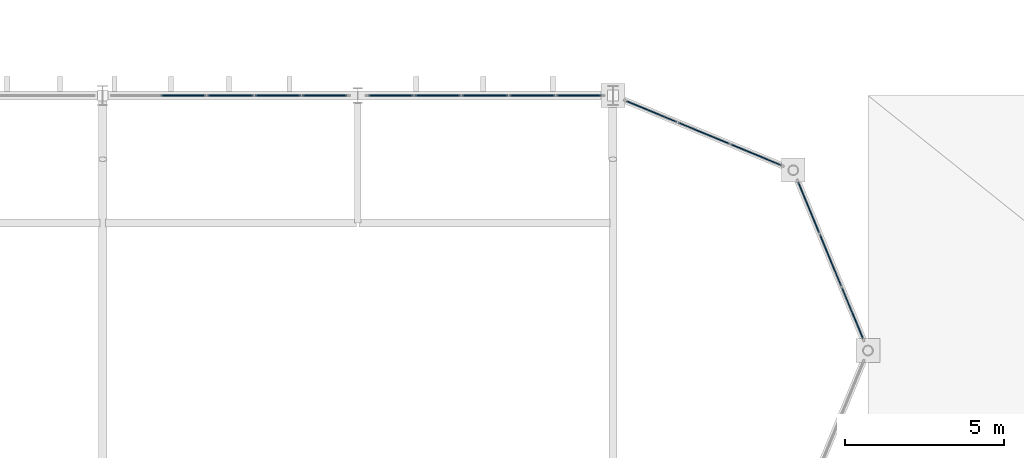
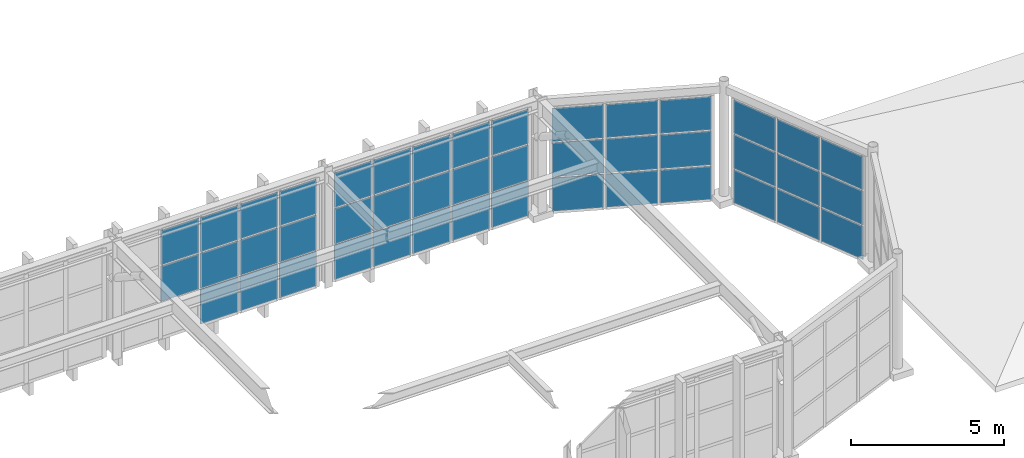
# One storey, part 44 of 61: 44 plates, 4 elements without a shape of their own.
"""IFC4 building model written with IfcOpenShell, lengths in metres."""

from ifc_helpers import new_model, si_unit, direction, frame, origin, origin_2d, place, context, subcontext, project, spatial, rectangle, extrude, material, layer, layer_set, type_object, element, aggregate, save


model = new_model("IFC4")

# Units and contexts
model_context = context("Model", 3, precision=1e-05, world=origin(), true_north=direction((0.0, 1.0)))
body_context = subcontext(model_context, "Body", "Model", "MODEL_VIEW")
ifc_project = project(units=[si_unit("LENGTHUNIT", "METRE"), si_unit("AREAUNIT", "SQUARE_METRE"), si_unit("VOLUMEUNIT", "CUBIC_METRE"), si_unit("PLANEANGLEUNIT", "RADIAN"), si_unit("MASSUNIT", "GRAM", prefix="KILO")], contexts=[model_context])

# Site, building, storey
site_placement = place(None, origin())
site = spatial("IfcSite", under=ifc_project, at=site_placement, CompositionType="ELEMENT")
building_placement = place(site_placement, origin())
building = spatial("IfcBuilding", under=site, at=building_placement, Name="Serraluz Foothill Cableway Terminal", CompositionType="ELEMENT")
storey_placement = place(building_placement, frame((0.0, 0.0, 15.0)))
storey = spatial("IfcBuildingStorey", under=building, at=storey_placement, Name="L03", CompositionType="ELEMENT", Elevation=15.0)

# Curtain wall, plates
ifc_material_1 = material(Name="Architectural bronze alloy C28000", Category="aluminium")
curtain_wall_type_1 = type_object("IfcCurtainWallType", Name="TYP-CW-480X380", PredefinedType="NOTDEFINED", material=ifc_material_1)
curtain_wall_1_placement = place(storey_placement, origin())
curtain_wall_1 = element("IfcCurtainWall", 1, at=curtain_wall_1_placement, inside=storey, type_object=curtain_wall_type_1, Name="Ribbed Glazed Curtain Wall CW-V1-E-L03-1", PredefinedType="NOTDEFINED")
ifc_material_2 = material(Name="Laminated low-E safety glass", Category="glass")
ifc_layer_1 = layer(ifc_material_2, 0.031982421875, Name="Laminated low-E safety glass", Category="glass")
ifc_layer_set_1 = layer_set([ifc_layer_1], Name="Laminated low-E safety glass")
plate_type_1 = type_object("IfcPlateType", Name="TYP-CW-PNL-32", PredefinedType="CURTAIN_PANEL", material=ifc_layer_set_1)
plate_1_placement = place(storey_placement, frame((153.215576171875, 71.49658203125, 0.05517578125), z_axis=(0.0, 0.0, 1.0), x_axis=(0.923880260537, -0.382681674752, 0.0)))
plate_1 = element("IfcPlate", 2, at=plate_1_placement, type_object=plate_type_1, Name="CW-14 panel 1.1", PredefinedType="CURTAIN_PANEL", context=body_context, shape_type="SweptSolid", body=[
    extrude(rectangle(XDim=1.705322265625, YDim=0.031982421875, at=origin_2d()), origin(), (0.0, 0.0, 1.0), 1.3173828125),
])
plate_2_placement = place(storey_placement, frame((153.215576171875, 71.49658203125, 1.427734375), z_axis=(0.0, 0.0, 1.0), x_axis=(0.923880260537, -0.382681674752, 0.0)))
plate_2 = element("IfcPlate", 3, at=plate_2_placement, type_object=plate_type_1, Name="CW-14 panel 1.2", PredefinedType="CURTAIN_PANEL", context=body_context, shape_type="SweptSolid", body=[
    extrude(rectangle(XDim=1.705322265625, YDim=0.031982421875, at=origin_2d()), origin(), (0.0, 0.0, 1.0), 1.344970703125),
])
plate_3_placement = place(storey_placement, frame((153.215576171875, 71.49658203125, 2.82763671875), z_axis=(0.0, 0.0, 1.0), x_axis=(0.923880260537, -0.382681674752, 0.0)))
plate_3 = element("IfcPlate", 4, at=plate_3_placement, type_object=plate_type_1, Name="CW-14 panel 1.3", PredefinedType="CURTAIN_PANEL", context=body_context, shape_type="SweptSolid", body=[
    extrude(rectangle(XDim=1.705322265625, YDim=0.031982421875, at=origin_2d()), origin(), (0.0, 0.0, 1.0), 1.3173828125),
])
plate_4_placement = place(storey_placement, frame((154.8544921875, 70.817626953125, 0.05517578125), z_axis=(0.0, 0.0, 1.0), x_axis=(0.923880260537, -0.382681674752, 0.0)))
plate_4 = element("IfcPlate", 5, at=plate_4_placement, type_object=plate_type_1, Name="CW-14 panel 2.1", PredefinedType="CURTAIN_PANEL", context=body_context, shape_type="SweptSolid", body=[
    extrude(rectangle(XDim=1.73291015625, YDim=0.031982421875, at=origin_2d()), origin(), (0.0, 0.0, 1.0), 1.3173828125),
])
plate_5_placement = place(storey_placement, frame((154.8544921875, 70.817626953125, 1.427734375), z_axis=(0.0, 0.0, 1.0), x_axis=(0.923880260537, -0.382681674752, 0.0)))
plate_5 = element("IfcPlate", 6, at=plate_5_placement, type_object=plate_type_1, Name="CW-14 panel 2.2", PredefinedType="CURTAIN_PANEL", context=body_context, shape_type="SweptSolid", body=[
    extrude(rectangle(XDim=1.73291015625, YDim=0.031982421875, at=origin_2d()), origin(), (0.0, 0.0, 1.0), 1.344970703125),
])
plate_6_placement = place(storey_placement, frame((154.8544921875, 70.817626953125, 2.82763671875), z_axis=(0.0, 0.0, 1.0), x_axis=(0.923880260537, -0.382681674752, 0.0)))
plate_6 = element("IfcPlate", 7, at=plate_6_placement, type_object=plate_type_1, Name="CW-14 panel 2.3", PredefinedType="CURTAIN_PANEL", context=body_context, shape_type="SweptSolid", body=[
    extrude(rectangle(XDim=1.73291015625, YDim=0.031982421875, at=origin_2d()), origin(), (0.0, 0.0, 1.0), 1.3173828125),
])
plate_7_placement = place(storey_placement, frame((156.493408203125, 70.138671875, 0.05517578125), z_axis=(0.0, 0.0, 1.0), x_axis=(0.923880260537, -0.382681674752, 0.0)))
plate_7 = element("IfcPlate", 8, at=plate_7_placement, type_object=plate_type_1, Name="CW-14 panel 3.1", PredefinedType="CURTAIN_PANEL", context=body_context, shape_type="SweptSolid", body=[
    extrude(rectangle(XDim=1.705322265625, YDim=0.031982421875, at=origin_2d()), origin(), (0.0, 0.0, 1.0), 1.3173828125),
])
plate_8_placement = place(storey_placement, frame((156.493408203125, 70.138671875, 1.427734375), z_axis=(0.0, 0.0, 1.0), x_axis=(0.923880260537, -0.382681674752, 0.0)))
plate_8 = element("IfcPlate", 9, at=plate_8_placement, type_object=plate_type_1, Name="CW-14 panel 3.2", PredefinedType="CURTAIN_PANEL", context=body_context, shape_type="SweptSolid", body=[
    extrude(rectangle(XDim=1.705322265625, YDim=0.031982421875, at=origin_2d()), origin(), (0.0, 0.0, 1.0), 1.344970703125),
])
plate_9_placement = place(storey_placement, frame((156.493408203125, 70.138671875, 2.82763671875), z_axis=(0.0, 0.0, 1.0), x_axis=(0.923880260537, -0.382681674752, 0.0)))
plate_9 = element("IfcPlate", 10, at=plate_9_placement, type_object=plate_type_1, Name="CW-14 panel 3.3", PredefinedType="CURTAIN_PANEL", context=body_context, shape_type="SweptSolid", body=[
    extrude(rectangle(XDim=1.705322265625, YDim=0.031982421875, at=origin_2d()), origin(), (0.0, 0.0, 1.0), 1.3173828125),
])
aggregate(curtain_wall_1, [plate_1, plate_2, plate_3, plate_4, plate_5, plate_6, plate_7, plate_8, plate_9])

curtain_wall_type_2 = type_object("IfcCurtainWallType", Name="TYP-CW-480X420", PredefinedType="NOTDEFINED", material=ifc_material_1)
curtain_wall_2_placement = place(storey_placement, origin())
curtain_wall_2 = element("IfcCurtainWall", 11, at=curtain_wall_2_placement, inside=storey, type_object=curtain_wall_type_2, Name="Ribbed Glazed Curtain Wall CW-V1-E-L03-2", PredefinedType="NOTDEFINED")
plate_10_placement = place(storey_placement, frame((158.142333984375, 68.48486328125, 0.05517578125), z_axis=(0.0, 0.0, 1.0), x_axis=(0.382684759834, -0.923878982655, 0.0)))
plate_10 = element("IfcPlate", 12, at=plate_10_placement, type_object=plate_type_1, Name="CW-15 panel 1.1", PredefinedType="CURTAIN_PANEL", context=body_context, shape_type="SweptSolid", body=[
    extrude(rectangle(XDim=1.72412109375, YDim=0.031982421875, at=origin_2d()), origin(), (0.0, 0.0, 1.0), 1.3173828125),
])
plate_11_placement = place(storey_placement, frame((158.142333984375, 68.48486328125, 1.427734375), z_axis=(0.0, 0.0, 1.0), x_axis=(0.382684759834, -0.923878982655, 0.0)))
plate_11 = element("IfcPlate", 13, at=plate_11_placement, type_object=plate_type_1, Name="CW-15 panel 1.2", PredefinedType="CURTAIN_PANEL", context=body_context, shape_type="SweptSolid", body=[
    extrude(rectangle(XDim=1.72412109375, YDim=0.031982421875, at=origin_2d()), origin(), (0.0, 0.0, 1.0), 1.344970703125),
])
plate_12_placement = place(storey_placement, frame((158.142333984375, 68.48486328125, 2.82763671875), z_axis=(0.0, 0.0, 1.0), x_axis=(0.382684759834, -0.923878982655, 0.0)))
plate_12 = element("IfcPlate", 14, at=plate_12_placement, type_object=plate_type_1, Name="CW-15 panel 1.3", PredefinedType="CURTAIN_PANEL", context=body_context, shape_type="SweptSolid", body=[
    extrude(rectangle(XDim=1.72412109375, YDim=0.031982421875, at=origin_2d()), origin(), (0.0, 0.0, 1.0), 1.3173828125),
])
plate_13_placement = place(storey_placement, frame((158.828369140625, 66.828369140625, 0.05517578125), z_axis=(0.0, 0.0, 1.0), x_axis=(0.382684759834, -0.923878982655, 0.0)))
plate_13 = element("IfcPlate", 15, at=plate_13_placement, type_object=plate_type_1, Name="CW-15 panel 2.1", PredefinedType="CURTAIN_PANEL", context=body_context, shape_type="SweptSolid", body=[
    extrude(rectangle(XDim=1.751708984375, YDim=0.031982421875, at=origin_2d()), origin(), (0.0, 0.0, 1.0), 1.3173828125),
])
plate_14_placement = place(storey_placement, frame((158.828369140625, 66.828369140625, 1.427734375), z_axis=(0.0, 0.0, 1.0), x_axis=(0.382684759834, -0.923878982655, 0.0)))
plate_14 = element("IfcPlate", 16, at=plate_14_placement, type_object=plate_type_1, Name="CW-15 panel 2.2", PredefinedType="CURTAIN_PANEL", context=body_context, shape_type="SweptSolid", body=[
    extrude(rectangle(XDim=1.751708984375, YDim=0.031982421875, at=origin_2d()), origin(), (0.0, 0.0, 1.0), 1.344970703125),
])
plate_15_placement = place(storey_placement, frame((158.828369140625, 66.828369140625, 2.82763671875), z_axis=(0.0, 0.0, 1.0), x_axis=(0.382684759834, -0.923878982655, 0.0)))
plate_15 = element("IfcPlate", 17, at=plate_15_placement, type_object=plate_type_1, Name="CW-15 panel 2.3", PredefinedType="CURTAIN_PANEL", context=body_context, shape_type="SweptSolid", body=[
    extrude(rectangle(XDim=1.751708984375, YDim=0.031982421875, at=origin_2d()), origin(), (0.0, 0.0, 1.0), 1.3173828125),
])
plate_16_placement = place(storey_placement, frame((159.5146484375, 65.172119140625, 0.05517578125), z_axis=(0.0, 0.0, 1.0), x_axis=(0.382684759834, -0.923878982655, 0.0)))
plate_16 = element("IfcPlate", 18, at=plate_16_placement, type_object=plate_type_1, Name="CW-15 panel 3.1", PredefinedType="CURTAIN_PANEL", context=body_context, shape_type="SweptSolid", body=[
    extrude(rectangle(XDim=1.72412109375, YDim=0.031982421875, at=origin_2d()), origin(), (0.0, 0.0, 1.0), 1.3173828125),
])
plate_17_placement = place(storey_placement, frame((159.5146484375, 65.172119140625, 1.427734375), z_axis=(0.0, 0.0, 1.0), x_axis=(0.382684759834, -0.923878982655, 0.0)))
plate_17 = element("IfcPlate", 19, at=plate_17_placement, type_object=plate_type_1, Name="CW-15 panel 3.2", PredefinedType="CURTAIN_PANEL", context=body_context, shape_type="SweptSolid", body=[
    extrude(rectangle(XDim=1.72412109375, YDim=0.031982421875, at=origin_2d()), origin(), (0.0, 0.0, 1.0), 1.344970703125),
])
plate_18_placement = place(storey_placement, frame((159.5146484375, 65.172119140625, 2.82763671875), z_axis=(0.0, 0.0, 1.0), x_axis=(0.382684759834, -0.923878982655, 0.0)))
plate_18 = element("IfcPlate", 20, at=plate_18_placement, type_object=plate_type_1, Name="CW-15 panel 3.3", PredefinedType="CURTAIN_PANEL", context=body_context, shape_type="SweptSolid", body=[
    extrude(rectangle(XDim=1.72412109375, YDim=0.031982421875, at=origin_2d()), origin(), (0.0, 0.0, 1.0), 1.3173828125),
])
aggregate(curtain_wall_2, [plate_10, plate_11, plate_12, plate_13, plate_14, plate_15, plate_16, plate_17, plate_18])

curtain_wall_type_3 = type_object("IfcCurtainWallType", Name="TYP-CW-1480X390", PredefinedType="NOTDEFINED", material=ifc_material_1)
curtain_wall_3_placement = place(storey_placement, origin())
curtain_wall_3 = element("IfcCurtainWall", 21, at=curtain_wall_3_placement, inside=storey, type_object=curtain_wall_type_3, Name="Ribbed Glazed Curtain Wall CW-V1N-L03-136", PredefinedType="NOTDEFINED")
ifc_material_3 = material(Name="Translucent ribbed laminated channel glass", Category="glass")
ifc_layer_2 = layer(ifc_material_3, 0.0419921875, Name="Translucent ribbed laminated channel glass", Category="glass")
ifc_layer_set_2 = layer_set([ifc_layer_2], Name="Translucent ribbed laminated channel glass")
plate_type_2 = type_object("IfcPlateType", Name="TYP-CW-PNL-42", PredefinedType="CURTAIN_PANEL", material=ifc_layer_set_2)
plate_19_placement = place(storey_placement, frame((138.52734375, 72.0, 1.47998046875), z_axis=(0.0, 0.0, 1.0), x_axis=(1.0, 0.0, 0.0)))
plate_19 = element("IfcPlate", 22, at=plate_19_placement, type_object=plate_type_2, Name="CW-24 panel 2.2", PredefinedType="CURTAIN_PANEL", context=body_context, shape_type="SweptSolid", body=[
    extrude(rectangle(XDim=1.423095703125, YDim=0.0419921875, at=origin_2d()), origin(), (0.0, 0.0, 1.0), 1.389892578125),
])
plate_20_placement = place(storey_placement, frame((138.52734375, 72.0, 2.93017578125), z_axis=(0.0, 0.0, 1.0), x_axis=(1.0, 0.0, 0.0)))
plate_20 = element("IfcPlate", 23, at=plate_20_placement, type_object=plate_type_2, Name="CW-24 panel 2.3", PredefinedType="CURTAIN_PANEL", context=body_context, shape_type="SweptSolid", body=[
    extrude(rectangle(XDim=1.423095703125, YDim=0.0419921875, at=origin_2d()), origin(), (0.0, 0.0, 1.0), 1.360107421875),
])
plate_21_placement = place(storey_placement, frame((140.010498046875, 72.0, 0.06005859375), z_axis=(0.0, 0.0, 1.0), x_axis=(1.0, 0.0, 0.0)))
plate_21 = element("IfcPlate", 24, at=plate_21_placement, type_object=plate_type_2, Name="CW-24 panel 3.1", PredefinedType="CURTAIN_PANEL", context=body_context, shape_type="SweptSolid", body=[
    extrude(rectangle(XDim=1.423095703125, YDim=0.0419921875, at=origin_2d()), origin(), (0.0, 0.0, 1.0), 1.360107421875),
])
plate_22_placement = place(storey_placement, frame((140.010498046875, 72.0, 1.47998046875), z_axis=(0.0, 0.0, 1.0), x_axis=(1.0, 0.0, 0.0)))
plate_22 = element("IfcPlate", 25, at=plate_22_placement, type_object=plate_type_2, Name="CW-24 panel 3.2", PredefinedType="CURTAIN_PANEL", context=body_context, shape_type="SweptSolid", body=[
    extrude(rectangle(XDim=1.423095703125, YDim=0.0419921875, at=origin_2d()), origin(), (0.0, 0.0, 1.0), 1.389892578125),
])
plate_23_placement = place(storey_placement, frame((140.010498046875, 72.0, 2.93017578125), z_axis=(0.0, 0.0, 1.0), x_axis=(1.0, 0.0, 0.0)))
plate_23 = element("IfcPlate", 26, at=plate_23_placement, type_object=plate_type_2, Name="CW-24 panel 3.3", PredefinedType="CURTAIN_PANEL", context=body_context, shape_type="SweptSolid", body=[
    extrude(rectangle(XDim=1.423095703125, YDim=0.0419921875, at=origin_2d()), origin(), (0.0, 0.0, 1.0), 1.360107421875),
])
plate_24_placement = place(storey_placement, frame((141.49365234375, 72.0, 0.06005859375), z_axis=(0.0, 0.0, 1.0), x_axis=(1.0, 0.0, 0.0)))
plate_24 = element("IfcPlate", 27, at=plate_24_placement, type_object=plate_type_2, Name="CW-24 panel 4.1", PredefinedType="CURTAIN_PANEL", context=body_context, shape_type="SweptSolid", body=[
    extrude(rectangle(XDim=1.423095703125, YDim=0.0419921875, at=origin_2d()), origin(), (0.0, 0.0, 1.0), 1.360107421875),
])
plate_25_placement = place(storey_placement, frame((141.49365234375, 72.0, 1.47998046875), z_axis=(0.0, 0.0, 1.0), x_axis=(1.0, 0.0, 0.0)))
plate_25 = element("IfcPlate", 28, at=plate_25_placement, type_object=plate_type_2, Name="CW-24 panel 4.2", PredefinedType="CURTAIN_PANEL", context=body_context, shape_type="SweptSolid", body=[
    extrude(rectangle(XDim=1.423095703125, YDim=0.0419921875, at=origin_2d()), origin(), (0.0, 0.0, 1.0), 1.389892578125),
])
plate_26_placement = place(storey_placement, frame((141.49365234375, 72.0, 2.93017578125), z_axis=(0.0, 0.0, 1.0), x_axis=(1.0, 0.0, 0.0)))
plate_26 = element("IfcPlate", 29, at=plate_26_placement, type_object=plate_type_2, Name="CW-24 panel 4.3", PredefinedType="CURTAIN_PANEL", context=body_context, shape_type="SweptSolid", body=[
    extrude(rectangle(XDim=1.423095703125, YDim=0.0419921875, at=origin_2d()), origin(), (0.0, 0.0, 1.0), 1.360107421875),
])
plate_27_placement = place(storey_placement, frame((142.9619140625, 72.0, 0.06005859375), z_axis=(0.0, 0.0, 1.0), x_axis=(1.0, 0.0, 0.0)))
plate_27 = element("IfcPlate", 30, at=plate_27_placement, type_object=plate_type_2, Name="CW-24 panel 5.1", PredefinedType="CURTAIN_PANEL", context=body_context, shape_type="SweptSolid", body=[
    extrude(rectangle(XDim=1.393310546875, YDim=0.0419921875, at=origin_2d()), origin(), (0.0, 0.0, 1.0), 1.360107421875),
])
plate_28_placement = place(storey_placement, frame((142.9619140625, 72.0, 1.47998046875), z_axis=(0.0, 0.0, 1.0), x_axis=(1.0, 0.0, 0.0)))
plate_28 = element("IfcPlate", 31, at=plate_28_placement, type_object=plate_type_2, Name="CW-24 panel 5.2", PredefinedType="CURTAIN_PANEL", context=body_context, shape_type="SweptSolid", body=[
    extrude(rectangle(XDim=1.393310546875, YDim=0.0419921875, at=origin_2d()), origin(), (0.0, 0.0, 1.0), 1.389892578125),
])
plate_29_placement = place(storey_placement, frame((142.9619140625, 72.0, 2.93017578125), z_axis=(0.0, 0.0, 1.0), x_axis=(1.0, 0.0, 0.0)))
plate_29 = element("IfcPlate", 32, at=plate_29_placement, type_object=plate_type_2, Name="CW-24 panel 5.3", PredefinedType="CURTAIN_PANEL", context=body_context, shape_type="SweptSolid", body=[
    extrude(rectangle(XDim=1.393310546875, YDim=0.0419921875, at=origin_2d()), origin(), (0.0, 0.0, 1.0), 1.360107421875),
])
aggregate(curtain_wall_3, [plate_19, plate_20, plate_21, plate_22, plate_23, plate_24, plate_25, plate_26, plate_27, plate_28, plate_29])

curtain_wall_type_4 = type_object("IfcCurtainWallType", Name="TYP-CW-710X420", PredefinedType="NOTDEFINED", material=ifc_material_1)
curtain_wall_4_placement = place(storey_placement, origin())
curtain_wall_4 = element("IfcCurtainWall", 33, at=curtain_wall_4_placement, inside=storey, type_object=curtain_wall_type_4, Name="Ribbed Glazed Curtain Wall CW-V1N-L03-144", PredefinedType="NOTDEFINED")
plate_30_placement = place(storey_placement, frame((145.0380859375, 72.0, 0.06005859375), z_axis=(0.0, 0.0, 1.0), x_axis=(1.0, 0.0, 0.0)))
plate_30 = element("IfcPlate", 34, at=plate_30_placement, type_object=plate_type_2, Name="CW-01 panel 1.1", PredefinedType="CURTAIN_PANEL", context=body_context, shape_type="SweptSolid", body=[
    extrude(rectangle(XDim=1.393310546875, YDim=0.0419921875, at=origin_2d()), origin(), (0.0, 0.0, 1.0), 1.360107421875),
])
plate_31_placement = place(storey_placement, frame((145.0380859375, 72.0, 1.47998046875), z_axis=(0.0, 0.0, 1.0), x_axis=(1.0, 0.0, 0.0)))
plate_31 = element("IfcPlate", 35, at=plate_31_placement, type_object=plate_type_2, Name="CW-01 panel 1.2", PredefinedType="CURTAIN_PANEL", context=body_context, shape_type="SweptSolid", body=[
    extrude(rectangle(XDim=1.393310546875, YDim=0.0419921875, at=origin_2d()), origin(), (0.0, 0.0, 1.0), 1.389892578125),
])
plate_32_placement = place(storey_placement, frame((145.0380859375, 72.0, 2.93017578125), z_axis=(0.0, 0.0, 1.0), x_axis=(1.0, 0.0, 0.0)))
plate_32 = element("IfcPlate", 36, at=plate_32_placement, type_object=plate_type_2, Name="CW-01 panel 1.3", PredefinedType="CURTAIN_PANEL", context=body_context, shape_type="SweptSolid", body=[
    extrude(rectangle(XDim=1.393310546875, YDim=0.0419921875, at=origin_2d()), origin(), (0.0, 0.0, 1.0), 1.360107421875),
])
plate_33_placement = place(storey_placement, frame((146.50634765625, 72.0, 0.06005859375), z_axis=(0.0, 0.0, 1.0), x_axis=(1.0, 0.0, 0.0)))
plate_33 = element("IfcPlate", 37, at=plate_33_placement, type_object=plate_type_2, Name="CW-01 panel 2.1", PredefinedType="CURTAIN_PANEL", context=body_context, shape_type="SweptSolid", body=[
    extrude(rectangle(XDim=1.423095703125, YDim=0.0419921875, at=origin_2d()), origin(), (0.0, 0.0, 1.0), 1.360107421875),
])
plate_34_placement = place(storey_placement, frame((146.50634765625, 72.0, 1.47998046875), z_axis=(0.0, 0.0, 1.0), x_axis=(1.0, 0.0, 0.0)))
plate_34 = element("IfcPlate", 38, at=plate_34_placement, type_object=plate_type_2, Name="CW-01 panel 2.2", PredefinedType="CURTAIN_PANEL", context=body_context, shape_type="SweptSolid", body=[
    extrude(rectangle(XDim=1.423095703125, YDim=0.0419921875, at=origin_2d()), origin(), (0.0, 0.0, 1.0), 1.389892578125),
])
plate_35_placement = place(storey_placement, frame((146.50634765625, 72.0, 2.93017578125), z_axis=(0.0, 0.0, 1.0), x_axis=(1.0, 0.0, 0.0)))
plate_35 = element("IfcPlate", 39, at=plate_35_placement, type_object=plate_type_2, Name="CW-01 panel 2.3", PredefinedType="CURTAIN_PANEL", context=body_context, shape_type="SweptSolid", body=[
    extrude(rectangle(XDim=1.423095703125, YDim=0.0419921875, at=origin_2d()), origin(), (0.0, 0.0, 1.0), 1.360107421875),
])
plate_36_placement = place(storey_placement, frame((147.989501953125, 72.0, 0.06005859375), z_axis=(0.0, 0.0, 1.0), x_axis=(1.0, 0.0, 0.0)))
plate_36 = element("IfcPlate", 40, at=plate_36_placement, type_object=plate_type_2, Name="CW-01 panel 3.1", PredefinedType="CURTAIN_PANEL", context=body_context, shape_type="SweptSolid", body=[
    extrude(rectangle(XDim=1.423095703125, YDim=0.0419921875, at=origin_2d()), origin(), (0.0, 0.0, 1.0), 1.360107421875),
])
plate_37_placement = place(storey_placement, frame((147.989501953125, 72.0, 1.47998046875), z_axis=(0.0, 0.0, 1.0), x_axis=(1.0, 0.0, 0.0)))
plate_37 = element("IfcPlate", 41, at=plate_37_placement, type_object=plate_type_2, Name="CW-01 panel 3.2", PredefinedType="CURTAIN_PANEL", context=body_context, shape_type="SweptSolid", body=[
    extrude(rectangle(XDim=1.423095703125, YDim=0.0419921875, at=origin_2d()), origin(), (0.0, 0.0, 1.0), 1.389892578125),
])
plate_38_placement = place(storey_placement, frame((147.989501953125, 72.0, 2.93017578125), z_axis=(0.0, 0.0, 1.0), x_axis=(1.0, 0.0, 0.0)))
plate_38 = element("IfcPlate", 42, at=plate_38_placement, type_object=plate_type_2, Name="CW-01 panel 3.3", PredefinedType="CURTAIN_PANEL", context=body_context, shape_type="SweptSolid", body=[
    extrude(rectangle(XDim=1.423095703125, YDim=0.0419921875, at=origin_2d()), origin(), (0.0, 0.0, 1.0), 1.360107421875),
])
plate_39_placement = place(storey_placement, frame((149.47265625, 72.0, 0.06005859375), z_axis=(0.0, 0.0, 1.0), x_axis=(1.0, 0.0, 0.0)))
plate_39 = element("IfcPlate", 43, at=plate_39_placement, type_object=plate_type_2, Name="CW-01 panel 4.1", PredefinedType="CURTAIN_PANEL", context=body_context, shape_type="SweptSolid", body=[
    extrude(rectangle(XDim=1.423095703125, YDim=0.0419921875, at=origin_2d()), origin(), (0.0, 0.0, 1.0), 1.360107421875),
])
plate_40_placement = place(storey_placement, frame((149.47265625, 72.0, 1.47998046875), z_axis=(0.0, 0.0, 1.0), x_axis=(1.0, 0.0, 0.0)))
plate_40 = element("IfcPlate", 44, at=plate_40_placement, type_object=plate_type_2, Name="CW-01 panel 4.2", PredefinedType="CURTAIN_PANEL", context=body_context, shape_type="SweptSolid", body=[
    extrude(rectangle(XDim=1.423095703125, YDim=0.0419921875, at=origin_2d()), origin(), (0.0, 0.0, 1.0), 1.389892578125),
])
plate_41_placement = place(storey_placement, frame((149.47265625, 72.0, 2.93017578125), z_axis=(0.0, 0.0, 1.0), x_axis=(1.0, 0.0, 0.0)))
plate_41 = element("IfcPlate", 45, at=plate_41_placement, type_object=plate_type_2, Name="CW-01 panel 4.3", PredefinedType="CURTAIN_PANEL", context=body_context, shape_type="SweptSolid", body=[
    extrude(rectangle(XDim=1.423095703125, YDim=0.0419921875, at=origin_2d()), origin(), (0.0, 0.0, 1.0), 1.360107421875),
])
plate_42_placement = place(storey_placement, frame((150.94091796875, 72.0, 0.06005859375), z_axis=(0.0, 0.0, 1.0), x_axis=(1.0, 0.0, 0.0)))
plate_42 = element("IfcPlate", 46, at=plate_42_placement, type_object=plate_type_2, Name="CW-01 panel 5.1", PredefinedType="CURTAIN_PANEL", context=body_context, shape_type="SweptSolid", body=[
    extrude(rectangle(XDim=1.393310546875, YDim=0.0419921875, at=origin_2d()), origin(), (0.0, 0.0, 1.0), 1.360107421875),
])
plate_43_placement = place(storey_placement, frame((150.94091796875, 72.0, 1.47998046875), z_axis=(0.0, 0.0, 1.0), x_axis=(1.0, 0.0, 0.0)))
plate_43 = element("IfcPlate", 47, at=plate_43_placement, type_object=plate_type_2, Name="CW-01 panel 5.2", PredefinedType="CURTAIN_PANEL", context=body_context, shape_type="SweptSolid", body=[
    extrude(rectangle(XDim=1.393310546875, YDim=0.0419921875, at=origin_2d()), origin(), (0.0, 0.0, 1.0), 1.389892578125),
])
plate_44_placement = place(storey_placement, frame((150.94091796875, 72.0, 2.93017578125), z_axis=(0.0, 0.0, 1.0), x_axis=(1.0, 0.0, 0.0)))
plate_44 = element("IfcPlate", 48, at=plate_44_placement, type_object=plate_type_2, Name="CW-01 panel 5.3", PredefinedType="CURTAIN_PANEL", context=body_context, shape_type="SweptSolid", body=[
    extrude(rectangle(XDim=1.393310546875, YDim=0.0419921875, at=origin_2d()), origin(), (0.0, 0.0, 1.0), 1.360107421875),
])
aggregate(curtain_wall_4, [plate_30, plate_31, plate_32, plate_33, plate_34, plate_35, plate_36, plate_37, plate_38, plate_39, plate_40, plate_41, plate_42, plate_43, plate_44])

save(model, "model.ifc")
